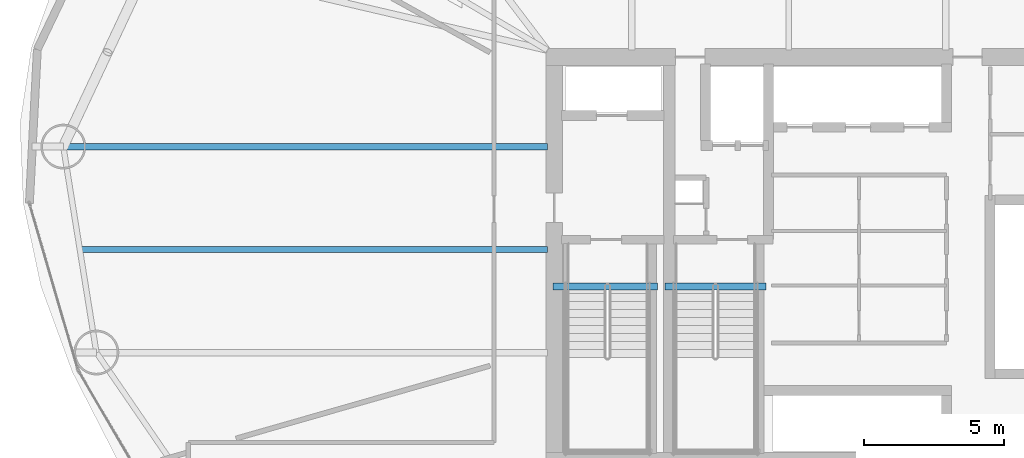
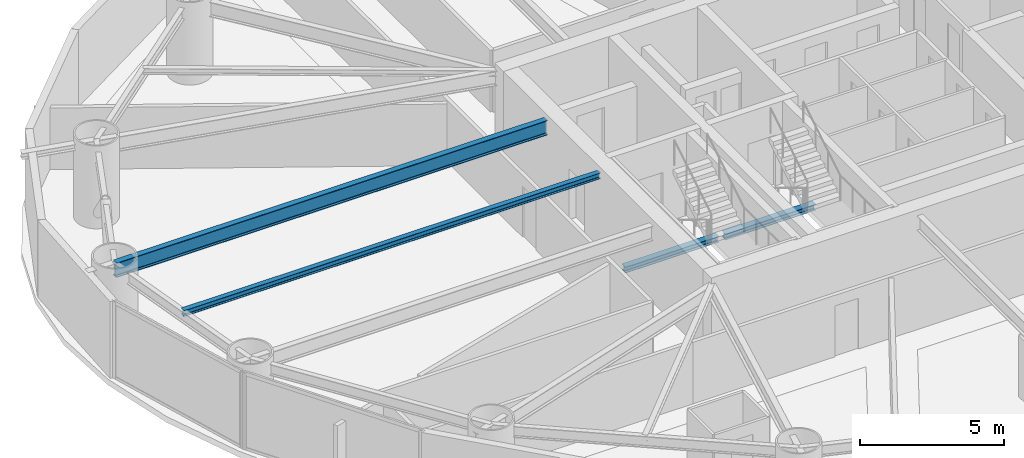
# One storey, part 7 of 30: 4 beams.
"""IFC4 building model written with IfcOpenShell, lengths in metres."""

import ifcopenshell
import ifcopenshell.guid

model = None  # the IFC model being written
_history = None  # IfcOwnerHistory: only IFC2X3 demands one
_inside = {}  # id of a spatial element -> (the spatial element, [elements in it])
_under = {}  # id of a project, library or spatial element -> (it, [spatial elements below it])
_declared = {}  # id of a project -> (the project, [libraries it declares])
_typed = {}  # id of a type object -> (the type object, [elements of that type])
_made_of = {}  # id of a material, layer set ... -> (it, [elements and type objects made of it])


def new_model(schema):
    """Start an empty IFC model of exactly this schema.

    Asked for "IFC4X3", IfcOpenShell would pick the latest addendum, in which some entities
    have other attributes; the version numbers below select the first issue.
    IFC2X3 requires an IfcOwnerHistory on every rooted entity: one is made here for all.
    """
    global model, _history
    if schema == "IFC4X3":
        model = ifcopenshell.file(schema_version=(4, 3, 0, 0))
    else:
        model = ifcopenshell.file(schema=schema)
    _inside.clear()
    _under.clear()
    _declared.clear()
    _typed.clear()
    _made_of.clear()
    _history = None
    if model.schema == "IFC2X3":
        org = make("IfcOrganization", Name="unknown")
        user = make(
            "IfcPersonAndOrganization",
            ThePerson=make("IfcPerson", FamilyName="unknown"),
            TheOrganization=org,
        )
        app = make(
            "IfcApplication",
            ApplicationDeveloper=org,
            Version="unknown",
            ApplicationFullName="unknown",
            ApplicationIdentifier="unknown",
        )
        _history = make(
            "IfcOwnerHistory",
            OwningUser=user,
            OwningApplication=app,
            ChangeAction="ADDED",
            CreationDate=0,
        )
    return model


def make(cls, **values):
    """One entity of the class cls with the attributes given. An attribute that is None is left unset."""
    return model.create_entity(
        cls, **{name: value for name, value in values.items() if value is not None}
    )


def rooted(cls, **values):
    """An entity with a GlobalId (a new one), such as an element, a storey or a relation."""
    return make(cls, GlobalId=ifcopenshell.guid.new(), OwnerHistory=_history, **values)


def si_unit(unit_type, name, prefix=None):
    """IfcSIUnit, for example si_unit("LENGTHUNIT", "METRE", prefix="MILLI")."""
    return make("IfcSIUnit", UnitType=unit_type, Prefix=prefix, Name=name)


def assignment(units):
    """IfcUnitAssignment: the units of a project."""
    return None if units is None else make("IfcUnitAssignment", Units=units)


def point(xyz):
    """IfcCartesianPoint."""
    return None if xyz is None else make("IfcCartesianPoint", Coordinates=xyz)


def direction(xyz):
    """IfcDirection."""
    return None if xyz is None else make("IfcDirection", DirectionRatios=xyz)


def frame(location, z_axis=None, x_axis=None):
    """IfcAxis2Placement3D, a coordinate frame: its origin and axes. An axis left out is left unset."""
    return make(
        "IfcAxis2Placement3D",
        Location=point(location),
        Axis=direction(z_axis),
        RefDirection=direction(x_axis),
    )


def frame_2d(location, x_axis=None):
    """IfcAxis2Placement2D, a coordinate frame in the plane: its origin and x axis."""
    return make(
        "IfcAxis2Placement2D", Location=point(location), RefDirection=direction(x_axis)
    )


def origin():
    """The frame at (0, 0, 0) with its axes left unset."""
    return frame((0.0, 0.0, 0.0))


def origin_2d():
    """The frame at (0, 0) in the plane with its x axis left unset."""
    return frame_2d((0.0, 0.0))


def place(relative_to, where):
    """IfcLocalPlacement: puts the frame where relative to a parent placement (None: the world)."""
    return make(
        "IfcLocalPlacement", PlacementRelTo=relative_to, RelativePlacement=where
    )


def context(
    kind, dimensions, precision=None, world=None, true_north=None, identifier=None
):
    """IfcGeometricRepresentationContext, for example the 3D "Model" context."""
    return make(
        "IfcGeometricRepresentationContext",
        ContextIdentifier=identifier,
        ContextType=kind,
        CoordinateSpaceDimension=dimensions,
        Precision=precision,
        WorldCoordinateSystem=world,
        TrueNorth=true_north,
    )


def subcontext(parent, identifier, kind, view, scale=None):
    """IfcGeometricRepresentationSubContext, for example "Body" below "Model"."""
    return make(
        "IfcGeometricRepresentationSubContext",
        ContextIdentifier=identifier,
        ContextType=kind,
        ParentContext=parent,
        TargetScale=scale,
        TargetView=view,
    )


def project(units=None, contexts=None):
    """IfcProject with its units and contexts."""
    return rooted(
        "IfcProject",
        Name="project",
        RepresentationContexts=contexts,
        UnitsInContext=assignment(units),
    )


def spatial(cls, under=None, at=None, **own):
    """A site, building, storey or space (cls), placed at a placement, below another one or the project."""
    s = rooted(cls, ObjectPlacement=at, **own)
    if under is not None:
        _under.setdefault(under.id(), (under, []))[1].append(s)
    return s


def profile(cls, at=None, kind="AREA", **sizes):
    """A parametric profile (cls). Its sizes go by their IFC names, for example OverallWidth=200.0."""
    return make(cls, ProfileType=kind, Position=at, **sizes)


def i_section(**sizes):
    """IfcIShapeProfileDef."""
    return profile("IfcIShapeProfileDef", **sizes)


def extrude(swept, where, along, depth):
    """IfcExtrudedAreaSolid: the profile swept, set in the frame where, extruded along a direction by depth."""
    return make(
        "IfcExtrudedAreaSolid",
        SweptArea=swept,
        Position=where,
        ExtrudedDirection=direction(along),
        Depth=depth,
    )


def shape(context_of_items, identifier, shape_type, items):
    """IfcShapeRepresentation: the items that make up one representation, for example the "Body"."""
    return make(
        "IfcShapeRepresentation",
        ContextOfItems=context_of_items,
        RepresentationIdentifier=identifier,
        RepresentationType=shape_type,
        Items=items,
    )


def material(Name=None, Category=None):
    """IfcMaterial."""
    return make("IfcMaterial", Name=Name, Category=Category)


def material_profile(
    of_material, cross_section, Name=None, Category=None, Priority=None
):
    """IfcMaterialProfile: a cross section and its material."""
    return make(
        "IfcMaterialProfile",
        Name=Name,
        Material=of_material,
        Profile=cross_section,
        Priority=Priority,
        Category=Category,
    )


def profile_set(profiles, Name=None, composite=None):
    """IfcMaterialProfileSet."""
    return make(
        "IfcMaterialProfileSet",
        Name=Name,
        MaterialProfiles=profiles,
        CompositeProfile=composite,
    )


def made_of(thing, what):
    """Note that an element or type object is made of a material, layer set ...; save() writes the relation."""
    if what is not None:
        _made_of.setdefault(what.id(), (what, []))[1].append(thing)
    return thing


def type_object(cls, material=None, **own):
    """A type object (cls), such as IfcWallType, which elements share."""
    return made_of(rooted(cls, **own), material)


def element(
    cls,
    number,
    at=None,
    inside=None,
    cuts=None,
    type_object=None,
    material=None,
    context=None,
    identifier="Body",
    shape_type=None,
    held_by="IfcProductDefinitionShape",
    body=None,
    shapes=None,
    **own,
):
    """One element of the class cls, such as IfcWall. Its Tag is "e" and its number.

    at: its placement. inside: the storey or other place that contains it. cuts: it is an
    opening in that element (IfcRelVoidsElement). A single representation is given by context,
    identifier, shape_type and body (its items); several are given by shapes. held_by: the class
    of the entity that holds the representations. save() writes the other relations.
    """
    e = rooted(cls, Tag="e%d" % number, ObjectPlacement=at, **own)
    if body is not None:
        shapes = [shape(context, identifier, shape_type, body)]
    if shapes is not None:
        e.Representation = make(held_by, Representations=shapes)
    if inside is not None:
        _inside.setdefault(inside.id(), (inside, []))[1].append(e)
    if cuts is not None:
        rooted(
            "IfcRelVoidsElement", RelatingBuildingElement=cuts, RelatedOpeningElement=e
        )
    if type_object is not None:
        _typed.setdefault(type_object.id(), (type_object, []))[1].append(e)
    return made_of(e, material)


def aggregate(whole, parts):
    """IfcRelAggregates: a whole, such as a stair, and the parts it consists of."""
    return rooted("IfcRelAggregates", RelatingObject=whole, RelatedObjects=parts)


def save(model, path):
    """Write the relations noted so far, then the file.

    IfcRelAggregates (storeys below a building ...), IfcRelContainedInSpatialStructure (elements
    in a storey), IfcRelDefinesByType, IfcRelAssociatesMaterial and IfcRelDeclares: one each for
    every whole, place, type object, material and project.
    """
    for whole, parts in _under.values():
        aggregate(whole, parts)
    for where, things in _inside.values():
        rooted(
            "IfcRelContainedInSpatialStructure",
            RelatedElements=things,
            RelatingStructure=where,
        )
    for kind, things in _typed.values():
        rooted("IfcRelDefinesByType", RelatedObjects=things, RelatingType=kind)
    for what, things in _made_of.values():
        rooted("IfcRelAssociatesMaterial", RelatedObjects=things, RelatingMaterial=what)
    for by, libraries in _declared.values():
        rooted("IfcRelDeclares", RelatingContext=by, RelatedDefinitions=libraries)
    model.write(path)


model = new_model("IFC4")

# Units and contexts
model_context = context("Model", 3, precision=1e-05, world=origin(), true_north=direction((0.0, 1.0)))
body_context = subcontext(model_context, "Body", "Model", "MODEL_VIEW")
ifc_project = project(units=[si_unit("LENGTHUNIT", "METRE"), si_unit("AREAUNIT", "SQUARE_METRE"), si_unit("VOLUMEUNIT", "CUBIC_METRE"), si_unit("PLANEANGLEUNIT", "RADIAN"), si_unit("MASSUNIT", "GRAM", prefix="KILO")], contexts=[model_context])

# Site, building, storey
site_placement = place(None, origin())
site = spatial("IfcSite", under=ifc_project, at=site_placement, CompositionType="ELEMENT")
building_placement = place(site_placement, origin())
building = spatial("IfcBuilding", under=site, at=building_placement, Name="Bramvorn Convention Spire", CompositionType="ELEMENT")
storey_placement = place(building_placement, frame((0.0, 0.0, 90.39990234375)))
storey = spatial("IfcBuildingStorey", under=building, at=storey_placement, Name="L21", CompositionType="ELEMENT", Elevation=90.39990234375)

# Beams
ifc_material = material(Name="Steel CSA G40.21 Grade 350 (350W)", Category="steel")
ifc_material_profile_1 = material_profile(ifc_material, i_section(OverallWidth=0.201904296875, OverallDepth=0.2470703125, WebThickness=0.00732421875, FlangeThickness=0.010986328125, FilletRadius=0.011962890625, at=origin_2d()))
ifc_profile_set_1 = profile_set([ifc_material_profile_1], Name="Steel CSA G40.21 Grade 350 (350W) - W250X49")
beam_type_1 = type_object("IfcBeamType", Name="BM-W250X49", PredefinedType="JOIST", material=ifc_profile_set_1)
beam_1_placement = place(storey_placement, frame((26.75, 26.333984375, 3.126708984375), z_axis=(-1.0, 0.0, 0.0), x_axis=(0.0, -1.0, 0.0)))
element("IfcBeam", 1, at=beam_1_placement, inside=storey, type_object=beam_type_1, Name="L21 composite floor joist 09", PredefinedType="JOIST", context=body_context, shape_type="SweptSolid", body=[
    extrude(i_section(OverallWidth=0.201904296875, OverallDepth=0.2470703125, WebThickness=0.00732421875, FlangeThickness=0.010986328125, FilletRadius=0.011962890625, at=origin_2d()), origin(), (0.0, 0.0, 1.0), 16.67919921875),
])
ifc_material_profile_2 = material_profile(ifc_material, i_section(OverallWidth=0.25390625, OverallDepth=0.2529296875, WebThickness=0.008544921875, FlangeThickness=0.01416015625, FilletRadius=0.011962890625, at=origin_2d()))
ifc_profile_set_2 = profile_set([ifc_material_profile_2], Name="Steel CSA G40.21 Grade 350 (350W) - W250X73")
beam_type_2 = type_object("IfcBeamType", Name="BM-W250X73", PredefinedType="BEAM", material=ifc_profile_set_2)
beam_2_placement = place(storey_placement, frame((26.949951171875, 25.010009765625, -0.12646484375), z_axis=(1.0, 0.0, 0.0), x_axis=(0.0, 1.0, 0.0)))
element("IfcBeam", 2, at=beam_2_placement, inside=storey, type_object=beam_type_2, Name="L21 ST1 stair arrival header beam", PredefinedType="BEAM", context=body_context, shape_type="SweptSolid", body=[
    extrude(i_section(OverallWidth=0.25390625, OverallDepth=0.2529296875, WebThickness=0.008544921875, FlangeThickness=0.01416015625, FilletRadius=0.011962890625, at=origin_2d()), origin(), (0.0, 0.0, 1.0), 3.739990234375),
])
beam_3_placement = place(storey_placement, frame((30.949951171875, 25.010009765625, -0.12646484375), z_axis=(1.0, 0.0, 0.0), x_axis=(0.0, 1.0, 0.0)))
element("IfcBeam", 3, at=beam_3_placement, inside=storey, type_object=beam_type_2, Name="L21 ST3 stair arrival header beam", PredefinedType="BEAM", context=body_context, shape_type="SweptSolid", body=[
    extrude(i_section(OverallWidth=0.25390625, OverallDepth=0.2529296875, WebThickness=0.008544921875, FlangeThickness=0.01416015625, FilletRadius=0.011962890625, at=origin_2d()), origin(), (0.0, 0.0, 1.0), 3.610107421875),
])
ifc_material_profile_3 = material_profile(ifc_material, i_section(OverallWidth=0.22998046875, OverallDepth=0.616943359375, WebThickness=0.01318359375, FlangeThickness=0.022216796875, FilletRadius=0.02001953125, at=origin_2d()))
ifc_profile_set_3 = profile_set([ifc_material_profile_3], Name="Steel CSA G40.21 Grade 350 (350W) - W610X140")
beam_type_3 = type_object("IfcBeamType", Name="BM-W610X140", PredefinedType="BEAM", material=ifc_profile_set_3)
beam_4_placement = place(storey_placement, frame((26.75, 30.00830078125, 2.941650390625), z_axis=(-1.0, 0.0, 0.0), x_axis=(0.0, -1.0, 0.0)))
element("IfcBeam", 4, at=beam_4_placement, inside=storey, type_object=beam_type_3, Name="L21 radial floor girder MC09", PredefinedType="BEAM", context=body_context, shape_type="SweptSolid", body=[
    extrude(i_section(OverallWidth=0.22998046875, OverallDepth=0.616943359375, WebThickness=0.01318359375, FlangeThickness=0.022216796875, FilletRadius=0.02001953125, at=origin_2d()), origin(), (0.0, 0.0, 1.0), 17.269775390625),
])

save(model, "model.ifc")
